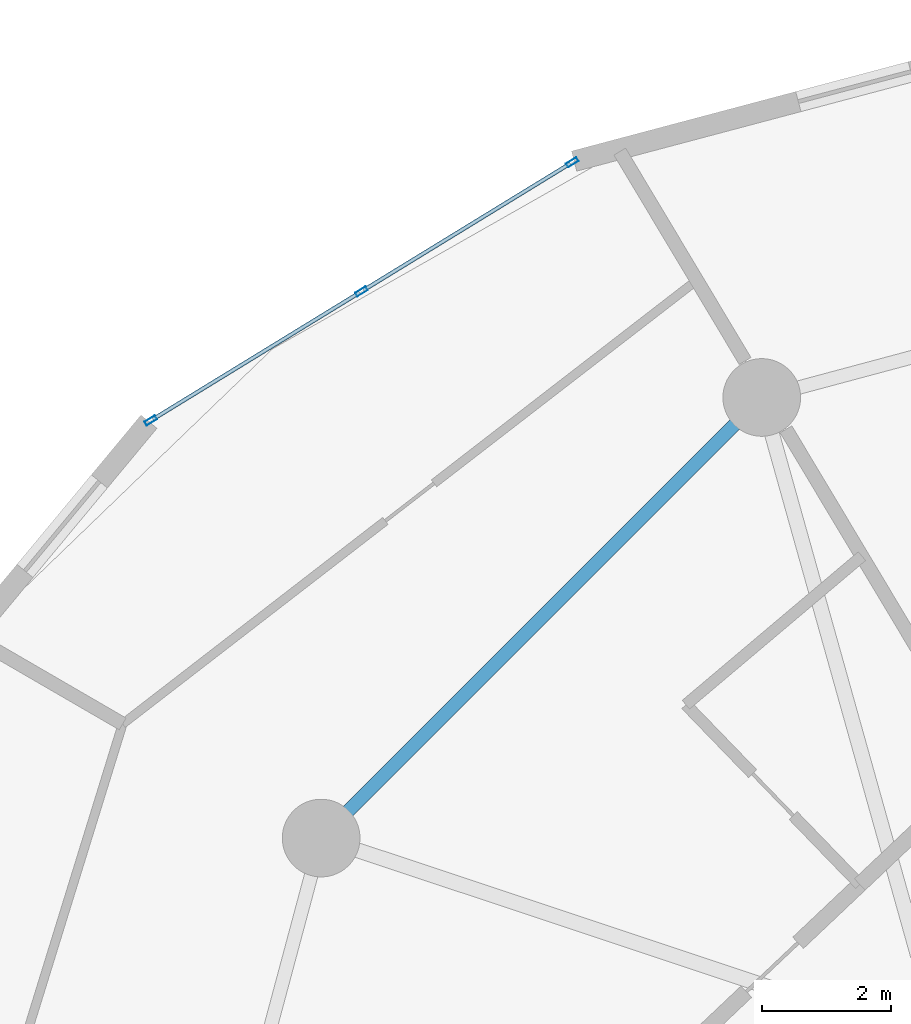
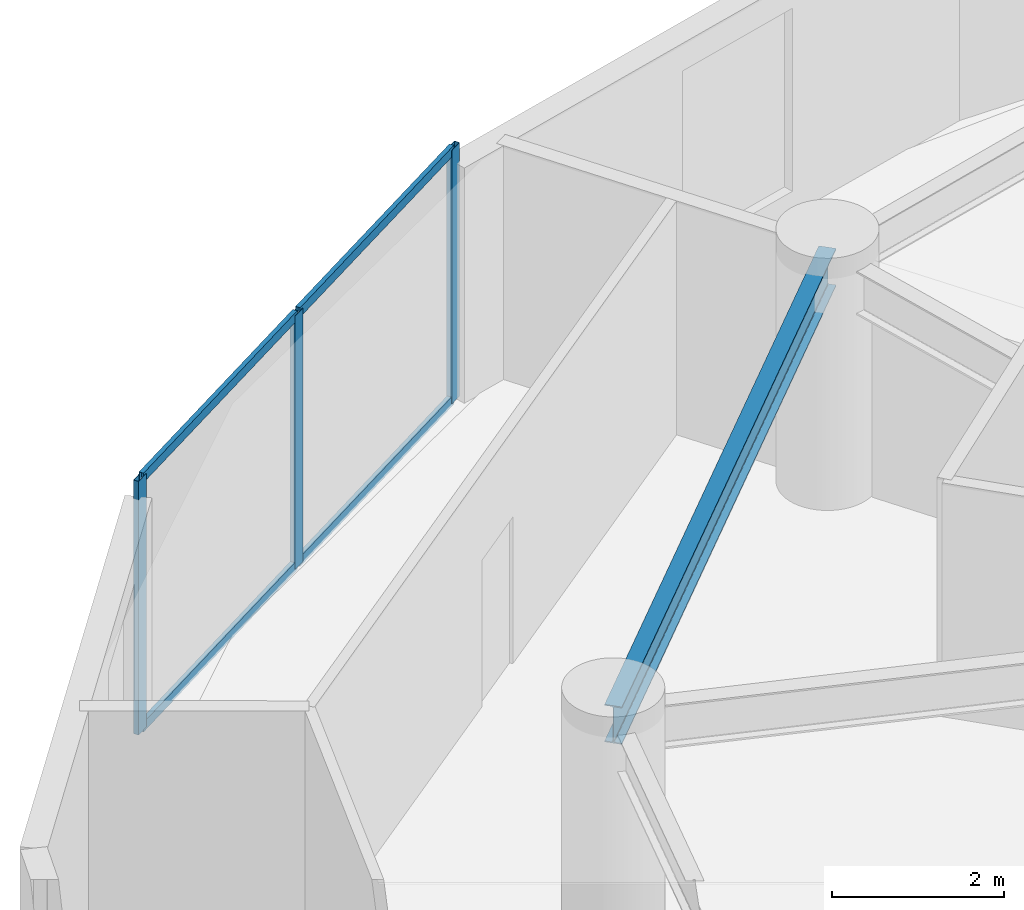
# One storey, part 11 of 23: 7 members, 1 beam, 1 element without a shape of its own.
"""IFC4 building model written with IfcOpenShell, lengths in metres."""

from ifc_helpers import new_model, si_unit, direction, frame, origin, origin_2d, place, context, subcontext, project, spatial, hollow_rectangle, i_section, extrude, source, transform, mapped, material, layer, layer_set, material_profile, profile_set, type_object, element, aggregate, save


model = new_model("IFC4")

# Units and contexts
model_context = context("Model", 3, precision=1e-05, world=origin(), true_north=direction((0.0, 1.0)))
body_context = subcontext(model_context, "Body", "Model", "MODEL_VIEW")
ifc_project = project(units=[si_unit("LENGTHUNIT", "METRE"), si_unit("AREAUNIT", "SQUARE_METRE"), si_unit("VOLUMEUNIT", "CUBIC_METRE"), si_unit("PLANEANGLEUNIT", "RADIAN"), si_unit("MASSUNIT", "GRAM", prefix="KILO")], contexts=[model_context])

# Site, building, storey
site_placement = place(None, origin())
site = spatial("IfcSite", under=ifc_project, at=site_placement, CompositionType="ELEMENT")
building_placement = place(site_placement, origin())
building = spatial("IfcBuilding", under=site, at=building_placement, Name="Solvirekh Grand Hotel", CompositionType="ELEMENT")
storey_placement = place(building_placement, frame((0.0, 0.0, 39.199951171875)))
storey = spatial("IfcBuildingStorey", under=building, at=storey_placement, Name="L08", CompositionType="ELEMENT", Elevation=39.199951171875)

# Beam
ifc_material_1 = material(Name="Steel S355", Category="steel")
ifc_material_profile_1 = material_profile(ifc_material_1, i_section(OverallWidth=0.208984375, OverallDepth=0.532958984375, WebThickness=0.010009765625, FlangeThickness=0.014892578125, FilletRadius=0.013916015625, at=origin_2d()), Name="W530X92")
ifc_profile_set_1 = profile_set([ifc_material_profile_1], Name="Steel S355")
beam_type = type_object("IfcBeamType", Name="Spandrel_Ring_W530", PredefinedType="SPANDREL", material=ifc_profile_set_1)
beam_placement = place(storey_placement, frame((-9.300048828125, 16.10791015625, 3.072998046875), z_axis=(-0.707106781187, -0.707106781187, 0.0), x_axis=(0.707106781187, -0.707106781187, 0.0)))
element("IfcBeam", 1, at=beam_placement, inside=storey, type_object=beam_type, Name="L08 perimeter spandrel beam 5", PredefinedType="SPANDREL", context=body_context, shape_type="SweptSolid", body=[
    extrude(i_section(OverallWidth=0.208984375, OverallDepth=0.532958984375, WebThickness=0.010009765625, FlangeThickness=0.014892578125, FilletRadius=0.013916015625, at=origin_2d()), origin(), (0.0, 0.0, 1.0), 9.627685546875),
])

# Curtain wall, members
ifc_material_2 = material(Name="Anodized Bronze Aluminium 6063-T6", Category="aluminium")
ifc_layer = layer(ifc_material_2, 0.18994140625)
ifc_layer_set = layer_set([ifc_layer], Name="Anodized Bronze Aluminium 6063-T6")
curtain_wall_type = type_object("IfcCurtainWallType", Name="CW_Sys2_LowZoneFlushBronzeCW", PredefinedType="NOTDEFINED", material=ifc_layer_set)
curtain_wall_placement = place(storey_placement, origin())
curtain_wall = element("IfcCurtainWall", 2, at=curtain_wall_placement, inside=storey, type_object=curtain_wall_type, Name="L08 unitised bronze-glass curtain wall CW-L08-C08", PredefinedType="NOTDEFINED")
ifc_material_profile_2 = material_profile(ifc_material_2, hollow_rectangle(XDim=0.070068359375, YDim=0.18994140625, WallThickness=0.0048828125, at=origin_2d()), Name="ALU RHS 190X70X5")
ifc_profile_set_2 = profile_set([ifc_material_profile_2], Name="Anodized Bronze Aluminium 6063-T6")
member_type_1 = type_object("IfcMemberType", Name="CWMullion_Sys2", PredefinedType="MULLION", material=ifc_profile_set_2)
shared_shape_1 = source(origin(), body_context, "Body", "SweptSolid", [
    extrude(hollow_rectangle(XDim=0.070068359375, YDim=0.18994140625, WallThickness=0.0048828125, at=origin_2d()), origin(), (0.0, 0.0, 1.0), 3.60009765625),
])
member_1_placement = place(storey_placement, frame((-12.228759765625, 19.74169921875, 0.0), z_axis=(0.0, 0.0, 1.0), x_axis=(0.522489018681, -0.852646014098, 0.0)))
member_1 = element("IfcMember", 3, at=member_1_placement, type_object=member_type_1, Name="U02 mullion 1", PredefinedType="MULLION", context=body_context, shape_type="MappedRepresentation", body=[
    mapped(shared_shape_1, transform((0.0, 0.0, 0.0), x_axis=(1.0, 0.0, 0.0), y_axis=(0.0, 1.0, 0.0), z_axis=(0.0, 0.0, 1.0), scale=1.0)),
])
member_2_placement = place(storey_placement, frame((-15.48388671875, 17.7470703125, 0.0), z_axis=(0.0, 0.0, 1.0), x_axis=(0.522489018681, -0.852646014098, 0.0)))
member_2 = element("IfcMember", 4, at=member_2_placement, type_object=member_type_1, Name="U02 mullion 2", PredefinedType="MULLION", context=body_context, shape_type="MappedRepresentation", body=[
    mapped(shared_shape_1, transform((0.0, 0.0, 0.0), x_axis=(1.0, 0.0, 0.0), y_axis=(0.0, 1.0, 0.0), z_axis=(0.0, 0.0, 1.0), scale=1.0)),
])
member_3_placement = place(storey_placement, frame((-18.7392578125, 15.752197265625, 0.0), z_axis=(0.0, 0.0, 1.0), x_axis=(0.522489018681, -0.852646014098, 0.0)))
member_3 = element("IfcMember", 5, at=member_3_placement, type_object=member_type_1, Name="U02 mullion 3", PredefinedType="MULLION", context=body_context, shape_type="MappedRepresentation", body=[
    mapped(shared_shape_1, transform((0.0, 0.0, 0.0), x_axis=(1.0, 0.0, 0.0), y_axis=(0.0, 1.0, 0.0), z_axis=(0.0, 0.0, 1.0), scale=1.0)),
])
ifc_material_profile_3 = material_profile(ifc_material_2, hollow_rectangle(XDim=0.06005859375, YDim=0.135009765625, WallThickness=0.00390625, at=origin_2d()), Name="ALU RHS 135X60X4")
ifc_profile_set_3 = profile_set([ifc_material_profile_3], Name="Anodized Bronze Aluminium 6063-T6")
member_type_2 = type_object("IfcMemberType", Name="CWTransom_Sys2", PredefinedType="USERDEFINED", material=ifc_profile_set_3)
shared_shape_2 = source(origin(), body_context, "Body", "SweptSolid", [
    extrude(hollow_rectangle(XDim=0.06005859375, YDim=0.135009765625, WallThickness=0.00390625, at=origin_2d()), origin(), (0.0, 0.0, 1.0), 3.74755859375),
])
member_4_placement = place(storey_placement, frame((-12.2587890625, 19.723388671875, 0.030029296875), z_axis=(-0.852649936826, -0.522482617156, 0.0), x_axis=(0.522482617156, -0.852649936826, 0.0)))
member_4 = element("IfcMember", 6, at=member_4_placement, type_object=member_type_2, Name="U02 transom 1.1", ObjectType="TRANSOM", PredefinedType="USERDEFINED", context=body_context, shape_type="MappedRepresentation", body=[
    mapped(shared_shape_2, transform((0.0, 0.0, 0.0), x_axis=(1.0, 0.0, 0.0), y_axis=(0.0, 1.0, 0.0), z_axis=(0.0, 0.0, 1.0), scale=1.0)),
])
member_5_placement = place(storey_placement, frame((-12.2587890625, 19.723388671875, 3.570068359375), z_axis=(-0.852649936826, -0.522482617156, 0.0), x_axis=(0.522482617156, -0.852649936826, 0.0)))
member_5 = element("IfcMember", 7, at=member_5_placement, type_object=member_type_2, Name="U02 transom 1.2", ObjectType="TRANSOM", PredefinedType="USERDEFINED", context=body_context, shape_type="MappedRepresentation", body=[
    mapped(shared_shape_2, transform((0.0, 0.0, 0.0), x_axis=(1.0, 0.0, 0.0), y_axis=(0.0, 1.0, 0.0), z_axis=(0.0, 0.0, 1.0), scale=1.0)),
])
member_6_placement = place(storey_placement, frame((-15.513916015625, 17.728759765625, 0.030029296875), z_axis=(-0.852620913646, -0.522529977717, 0.0), x_axis=(0.522529977717, -0.852620913646, 0.0)))
member_6 = element("IfcMember", 8, at=member_6_placement, type_object=member_type_2, Name="U02 transom 2.1", ObjectType="TRANSOM", PredefinedType="USERDEFINED", context=body_context, shape_type="MappedRepresentation", body=[
    mapped(shared_shape_2, transform((0.0, 0.0, 0.0), x_axis=(1.0, 0.0, 0.0), y_axis=(0.0, 1.0, 0.0), z_axis=(0.0, 0.0, 1.0), scale=1.0)),
])
member_7_placement = place(storey_placement, frame((-15.513916015625, 17.728759765625, 3.570068359375), z_axis=(-0.852620913646, -0.522529977717, 0.0), x_axis=(0.522529977717, -0.852620913646, 0.0)))
member_7 = element("IfcMember", 9, at=member_7_placement, type_object=member_type_2, Name="U02 transom 2.2", ObjectType="TRANSOM", PredefinedType="USERDEFINED", context=body_context, shape_type="MappedRepresentation", body=[
    mapped(shared_shape_2, transform((0.0, 0.0, 0.0), x_axis=(1.0, 0.0, 0.0), y_axis=(0.0, 1.0, 0.0), z_axis=(0.0, 0.0, 1.0), scale=1.0)),
])
aggregate(curtain_wall, [member_1, member_2, member_3, member_4, member_5, member_6, member_7])

save(model, "model.ifc")
